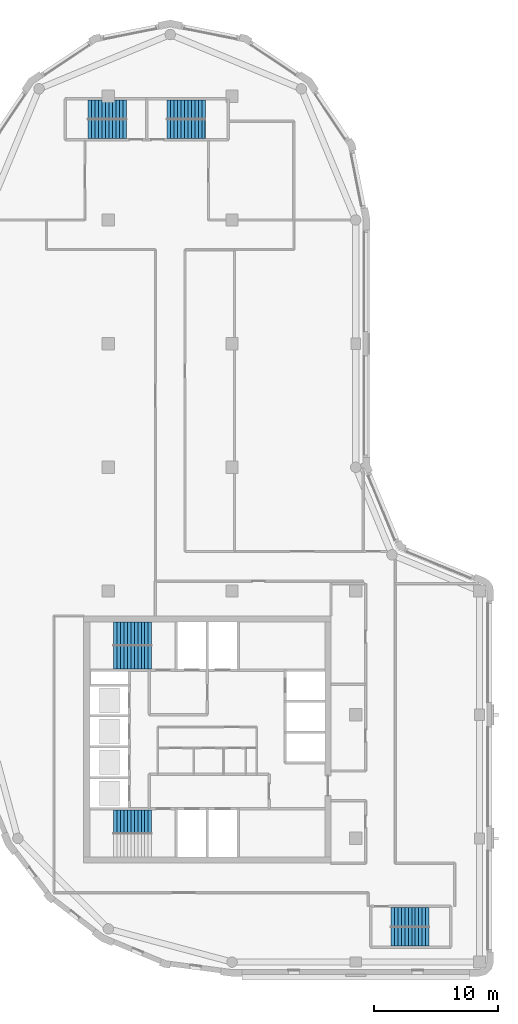
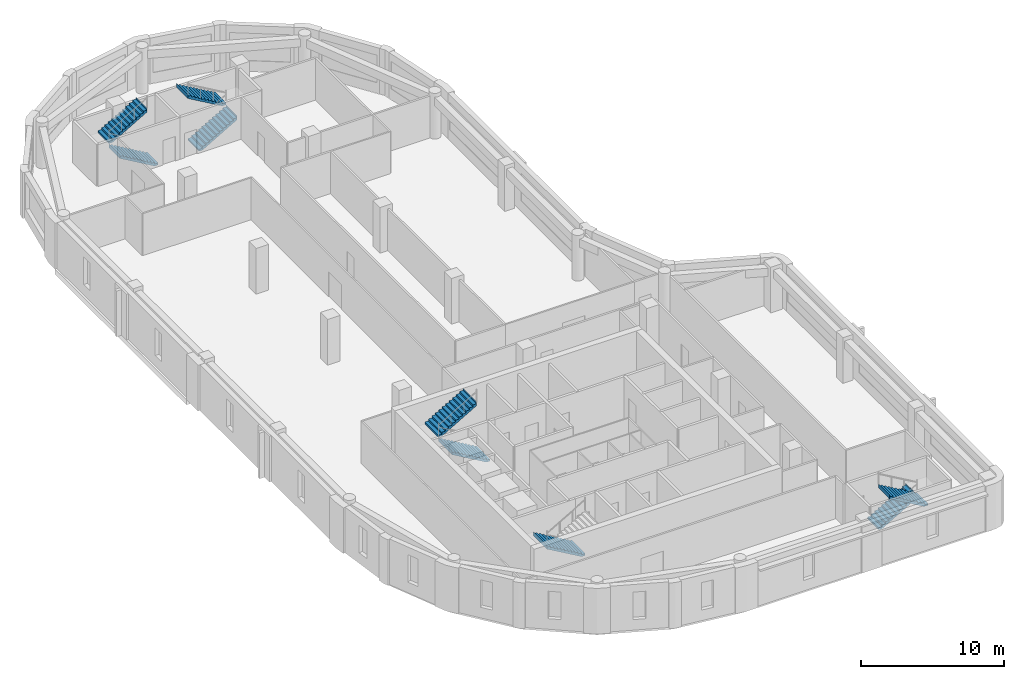
# One storey, part 6 of 8: 9 stair flights, 5 elements without a shape of their own.
"""IFC4 building model written with IfcOpenShell, lengths in metres."""

from ifc_helpers import new_model, si_unit, direction, frame, origin, place, context, subcontext, project, spatial, polyline, outline, extrude, material, type_object, element, aggregate, save


model = new_model("IFC4")

# Units and contexts
model_context = context("Model", 3, precision=1e-05, world=origin(), true_north=direction((0.0, 1.0)))
body_context = subcontext(model_context, "Body", "Model", "MODEL_VIEW")
ifc_project = project(units=[si_unit("LENGTHUNIT", "METRE"), si_unit("AREAUNIT", "SQUARE_METRE"), si_unit("VOLUMEUNIT", "CUBIC_METRE"), si_unit("PLANEANGLEUNIT", "RADIAN"), si_unit("MASSUNIT", "GRAM", prefix="KILO")], contexts=[model_context])

# Site, building, storey
site_placement = place(None, origin())
site = spatial("IfcSite", under=ifc_project, at=site_placement, CompositionType="ELEMENT")
building_placement = place(site_placement, origin())
building = spatial("IfcBuilding", under=site, at=building_placement, Name="Qaws Garden Tower", CompositionType="ELEMENT")
storey_placement = place(building_placement, frame((0.0, 0.0, 333.300048828125)))
storey = spatial("IfcBuildingStorey", under=building, at=storey_placement, Name="L81", CompositionType="ELEMENT", Elevation=333.300048828125)

# Stair, stair flights
ifc_material_1 = material(Name="Concrete C40", Category="concrete")
stair_type_1 = type_object("IfcStairType", Name="Exit stair 1350", PredefinedType="HALF_TURN_STAIR", material=ifc_material_1)
placement = place(storey_placement, origin())
stair_1 = element("IfcStair", 1, at=placement, inside=storey, type_object=stair_type_1, Name="Stair 5", PredefinedType="HALF_TURN_STAIR")
ifc_material_2 = material(Name="Concrete C40", Category="concrete")
stair_flight_type_1 = type_object("IfcStairFlightType", Name="Stair flight 1350", PredefinedType="STRAIGHT", material=ifc_material_2)
stair_flight_1_placement = place(storey_placement, frame((32.85009765625, 3.625, 0.0), z_axis=(0.0, 0.0, 1.0), x_axis=(1.0, 0.0, 0.0)))
stair_flight_1 = element("IfcStairFlight", 2, at=stair_flight_1_placement, type_object=stair_flight_type_1, Name="ST5 flight 1", NumberOfRisers=12, NumberOfTreads=11, PredefinedType="STRAIGHT", RiserHeight=0.1625, TreadLength=0.28, context=body_context, shape_type="SweptSolid", body=[
    extrude(outline(polyline([(-0.0029296875, 0.0), (-0.0029296875, 0.16259765625), (0.0, 0.16259765625), (0.280029296875, 0.16259765625), (0.280029296875, 0.324951171875), (0.56005859375, 0.324951171875), (0.56005859375, 0.487548828125), (0.840087890625, 0.487548828125), (0.840087890625, 0.64990234375), (1.1201171875, 0.64990234375), (1.1201171875, 0.8125), (1.39990234375, 0.8125), (1.39990234375, 0.97509765625), (1.679931640625, 0.97509765625), (1.679931640625, 1.137451171875), (1.9599609375, 1.137451171875), (1.9599609375, 1.300048828125), (2.239990234375, 1.300048828125), (2.239990234375, 1.46240234375), (2.52001953125, 1.46240234375), (2.52001953125, 1.625), (2.800048828125, 1.625), (2.800048828125, 1.78759765625), (3.080078125, 1.78759765625), (3.080078125, 1.949951171875), (3.0830078125, 1.949951171875), (3.0830078125, 1.6142578125), (3.080078125, 1.6142578125), (0.298583984375, 0.0), (-0.0029296875, 0.0)])), frame((0.0, 0.77490234375, 0.0), z_axis=(0.0, -1.0, 0.0), x_axis=(1.0, 0.0, 0.0)), (0.0, 0.0, 1.0), 1.550048828125),
])
stair_flight_2_placement = place(storey_placement, frame((35.929931640625, 2.074951171875, 1.949951171875), z_axis=(0.0, 0.0, 1.0), x_axis=(-1.0, 0.0, 0.0)))
stair_flight_2 = element("IfcStairFlight", 3, at=stair_flight_2_placement, type_object=stair_flight_type_1, Name="ST5 flight 2", NumberOfRisers=12, NumberOfTreads=11, PredefinedType="STRAIGHT", RiserHeight=0.1625, TreadLength=0.28, context=body_context, shape_type="SweptSolid", body=[
    extrude(outline(polyline([(-0.0029296875, 0.0), (-0.0029296875, 0.16259765625), (0.0, 0.16259765625), (0.280029296875, 0.16259765625), (0.280029296875, 0.324951171875), (0.56005859375, 0.324951171875), (0.56005859375, 0.487548828125), (0.840087890625, 0.487548828125), (0.840087890625, 0.64990234375), (1.1201171875, 0.64990234375), (1.1201171875, 0.8125), (1.39990234375, 0.8125), (1.39990234375, 0.97509765625), (1.679931640625, 0.97509765625), (1.679931640625, 1.137451171875), (1.9599609375, 1.137451171875), (1.9599609375, 1.300048828125), (2.239990234375, 1.300048828125), (2.239990234375, 1.46240234375), (2.52001953125, 1.46240234375), (2.52001953125, 1.625), (2.800048828125, 1.625), (2.800048828125, 1.78759765625), (3.080078125, 1.78759765625), (3.080078125, 1.949951171875), (3.0830078125, 1.949951171875), (3.0830078125, 1.6142578125), (3.080078125, 1.6142578125), (0.298583984375, 0.0), (-0.0029296875, 0.0)])), frame((0.0, 0.77490234375, 0.0), z_axis=(0.0, -1.0, 0.0), x_axis=(1.0, 0.0, 0.0)), (0.0, 0.0, 1.0), 1.550048828125),
])
aggregate(stair_1, [stair_flight_1, stair_flight_2])

stair_2 = element("IfcStair", 4, at=placement, inside=storey, type_object=stair_type_1, Name="Stair 6", PredefinedType="HALF_TURN_STAIR")
stair_flight_3_placement = place(storey_placement, frame((11.449951171875, 67.375, 0.0), z_axis=(0.0, 0.0, 1.0), x_axis=(-1.0, 0.0, 0.0)))
stair_flight_3 = element("IfcStairFlight", 5, at=stair_flight_3_placement, type_object=stair_flight_type_1, Name="ST6 flight 1", NumberOfRisers=12, NumberOfTreads=11, PredefinedType="STRAIGHT", RiserHeight=0.1625, TreadLength=0.28, context=body_context, shape_type="SweptSolid", body=[
    extrude(outline(polyline([(-0.0029296875, 0.0), (-0.0029296875, 0.16259765625), (0.0, 0.16259765625), (0.280029296875, 0.16259765625), (0.280029296875, 0.324951171875), (0.56005859375, 0.324951171875), (0.56005859375, 0.487548828125), (0.840087890625, 0.487548828125), (0.840087890625, 0.64990234375), (1.1201171875, 0.64990234375), (1.1201171875, 0.8125), (1.39990234375, 0.8125), (1.39990234375, 0.97509765625), (1.679931640625, 0.97509765625), (1.679931640625, 1.137451171875), (1.9599609375, 1.137451171875), (1.9599609375, 1.300048828125), (2.239990234375, 1.300048828125), (2.239990234375, 1.46240234375), (2.52001953125, 1.46240234375), (2.52001953125, 1.625), (2.800048828125, 1.625), (2.800048828125, 1.78759765625), (3.080078125, 1.78759765625), (3.080078125, 1.949951171875), (3.0830078125, 1.949951171875), (3.0830078125, 1.6142578125), (3.080078125, 1.6142578125), (0.298583984375, 0.0), (-0.0029296875, 0.0)])), frame((0.0, 0.77490234375, 0.0), z_axis=(0.0, -1.0, 0.0), x_axis=(1.0, 0.0, 0.0)), (0.0, 0.0, 1.0), 1.550048828125),
])
stair_flight_4_placement = place(storey_placement, frame((8.3701171875, 68.925048828125, 1.949951171875), z_axis=(0.0, 0.0, 1.0), x_axis=(1.0, 0.0, 0.0)))
stair_flight_4 = element("IfcStairFlight", 6, at=stair_flight_4_placement, type_object=stair_flight_type_1, Name="ST6 flight 2", NumberOfRisers=12, NumberOfTreads=11, PredefinedType="STRAIGHT", RiserHeight=0.1625, TreadLength=0.28, context=body_context, shape_type="SweptSolid", body=[
    extrude(outline(polyline([(-0.0029296875, 0.0), (-0.0029296875, 0.16259765625), (0.0, 0.16259765625), (0.280029296875, 0.16259765625), (0.280029296875, 0.324951171875), (0.56005859375, 0.324951171875), (0.56005859375, 0.487548828125), (0.840087890625, 0.487548828125), (0.840087890625, 0.64990234375), (1.1201171875, 0.64990234375), (1.1201171875, 0.8125), (1.39990234375, 0.8125), (1.39990234375, 0.97509765625), (1.679931640625, 0.97509765625), (1.679931640625, 1.137451171875), (1.9599609375, 1.137451171875), (1.9599609375, 1.300048828125), (2.239990234375, 1.300048828125), (2.239990234375, 1.46240234375), (2.52001953125, 1.46240234375), (2.52001953125, 1.625), (2.800048828125, 1.625), (2.800048828125, 1.78759765625), (3.080078125, 1.78759765625), (3.080078125, 1.949951171875), (3.0830078125, 1.949951171875), (3.0830078125, 1.6142578125), (3.080078125, 1.6142578125), (0.298583984375, 0.0), (-0.0029296875, 0.0)])), frame((0.0, 0.77490234375, 0.0), z_axis=(0.0, -1.0, 0.0), x_axis=(1.0, 0.0, 0.0)), (0.0, 0.0, 1.0), 1.550048828125),
])
aggregate(stair_2, [stair_flight_3, stair_flight_4])

stair_3 = element("IfcStair", 7, at=placement, inside=storey, type_object=stair_type_1, Name="Stair 7", PredefinedType="HALF_TURN_STAIR")
stair_flight_5_placement = place(storey_placement, frame((14.75, 67.375, 0.0), z_axis=(0.0, 0.0, 1.0), x_axis=(1.0, 0.0, 0.0)))
stair_flight_5 = element("IfcStairFlight", 8, at=stair_flight_5_placement, type_object=stair_flight_type_1, Name="ST7 flight 1", NumberOfRisers=12, NumberOfTreads=11, PredefinedType="STRAIGHT", RiserHeight=0.1625, TreadLength=0.28, context=body_context, shape_type="SweptSolid", body=[
    extrude(outline(polyline([(-0.0029296875, 0.0), (-0.0029296875, 0.16259765625), (0.0, 0.16259765625), (0.280029296875, 0.16259765625), (0.280029296875, 0.324951171875), (0.56005859375, 0.324951171875), (0.56005859375, 0.487548828125), (0.840087890625, 0.487548828125), (0.840087890625, 0.64990234375), (1.1201171875, 0.64990234375), (1.1201171875, 0.8125), (1.39990234375, 0.8125), (1.39990234375, 0.97509765625), (1.679931640625, 0.97509765625), (1.679931640625, 1.137451171875), (1.9599609375, 1.137451171875), (1.9599609375, 1.300048828125), (2.239990234375, 1.300048828125), (2.239990234375, 1.46240234375), (2.52001953125, 1.46240234375), (2.52001953125, 1.625), (2.800048828125, 1.625), (2.800048828125, 1.78759765625), (3.080078125, 1.78759765625), (3.080078125, 1.949951171875), (3.0830078125, 1.949951171875), (3.0830078125, 1.6142578125), (3.080078125, 1.6142578125), (0.298583984375, 0.0), (-0.0029296875, 0.0)])), frame((0.0, 0.77490234375, 0.0), z_axis=(0.0, -1.0, 0.0), x_axis=(1.0, 0.0, 0.0)), (0.0, 0.0, 1.0), 1.550048828125),
])
stair_flight_6_placement = place(storey_placement, frame((17.830078125, 68.925048828125, 1.949951171875), z_axis=(0.0, 0.0, 1.0), x_axis=(-1.0, 0.0, 0.0)))
stair_flight_6 = element("IfcStairFlight", 9, at=stair_flight_6_placement, type_object=stair_flight_type_1, Name="ST7 flight 2", NumberOfRisers=12, NumberOfTreads=11, PredefinedType="STRAIGHT", RiserHeight=0.1625, TreadLength=0.28, context=body_context, shape_type="SweptSolid", body=[
    extrude(outline(polyline([(-0.0029296875, 0.0), (-0.0029296875, 0.16259765625), (0.0, 0.16259765625), (0.280029296875, 0.16259765625), (0.280029296875, 0.324951171875), (0.56005859375, 0.324951171875), (0.56005859375, 0.487548828125), (0.840087890625, 0.487548828125), (0.840087890625, 0.64990234375), (1.1201171875, 0.64990234375), (1.1201171875, 0.8125), (1.39990234375, 0.8125), (1.39990234375, 0.97509765625), (1.679931640625, 0.97509765625), (1.679931640625, 1.137451171875), (1.9599609375, 1.137451171875), (1.9599609375, 1.300048828125), (2.239990234375, 1.300048828125), (2.239990234375, 1.46240234375), (2.52001953125, 1.46240234375), (2.52001953125, 1.625), (2.800048828125, 1.625), (2.800048828125, 1.78759765625), (3.080078125, 1.78759765625), (3.080078125, 1.949951171875), (3.0830078125, 1.949951171875), (3.0830078125, 1.6142578125), (3.080078125, 1.6142578125), (0.298583984375, 0.0), (-0.0029296875, 0.0)])), frame((0.0, 0.77490234375, 0.0), z_axis=(0.0, -1.0, 0.0), x_axis=(1.0, 0.0, 0.0)), (0.0, 0.0, 1.0), 1.550048828125),
])
aggregate(stair_3, [stair_flight_5, stair_flight_6])

# Stair, stair flight
ifc_material_3 = material(Name="Concrete C40", Category="concrete")
stair_type_2 = type_object("IfcStairType", Name="Exit stair 1500", PredefinedType="HALF_TURN_STAIR", material=ifc_material_3)
stair_4 = element("IfcStair", 10, at=placement, inside=storey, type_object=stair_type_2, Name="Stair 1", PredefinedType="HALF_TURN_STAIR")
ifc_material_4 = material(Name="Concrete C40", Category="concrete")
stair_flight_type_2 = type_object("IfcStairFlightType", Name="Stair flight 1500", PredefinedType="STRAIGHT", material=ifc_material_4)
stair_flight_7_placement = place(storey_placement, frame((13.5, 11.35009765625, 0.0), z_axis=(0.0, 0.0, 1.0), x_axis=(-1.0, 0.0, 0.0)))
stair_flight_7 = element("IfcStairFlight", 11, at=stair_flight_7_placement, type_object=stair_flight_type_2, Name="ST1 flight 1", NumberOfRisers=12, NumberOfTreads=11, PredefinedType="STRAIGHT", RiserHeight=0.1625, TreadLength=0.28, context=body_context, shape_type="SweptSolid", body=[
    extrude(outline(polyline([(-0.0029296875, 0.0), (-0.0029296875, 0.16259765625), (0.0, 0.16259765625), (0.280029296875, 0.16259765625), (0.280029296875, 0.324951171875), (0.56005859375, 0.324951171875), (0.56005859375, 0.487548828125), (0.840087890625, 0.487548828125), (0.840087890625, 0.64990234375), (1.1201171875, 0.64990234375), (1.1201171875, 0.8125), (1.39990234375, 0.8125), (1.39990234375, 0.97509765625), (1.679931640625, 0.97509765625), (1.679931640625, 1.137451171875), (1.9599609375, 1.137451171875), (1.9599609375, 1.300048828125), (2.239990234375, 1.300048828125), (2.239990234375, 1.46240234375), (2.52001953125, 1.46240234375), (2.52001953125, 1.625), (2.800048828125, 1.625), (2.800048828125, 1.78759765625), (3.080078125, 1.78759765625), (3.080078125, 1.949951171875), (3.0830078125, 1.949951171875), (3.0830078125, 1.6142578125), (3.080078125, 1.6142578125), (0.298583984375, 0.0), (-0.0029296875, 0.0)])), frame((0.0, 0.949951171875, 0.0), z_axis=(0.0, -1.0, 0.0), x_axis=(1.0, 0.0, 0.0)), (0.0, 0.0, 1.0), 1.89990234375),
])
aggregate(stair_4, [stair_flight_7])

# Stair, stair flights
stair_5 = element("IfcStair", 12, at=placement, inside=storey, type_object=stair_type_2, Name="Stair 4", PredefinedType="HALF_TURN_STAIR")
stair_flight_8_placement = place(storey_placement, frame((13.5, 24.64990234375, 0.0), z_axis=(0.0, 0.0, 1.0), x_axis=(-1.0, 0.0, 0.0)))
stair_flight_8 = element("IfcStairFlight", 13, at=stair_flight_8_placement, type_object=stair_flight_type_2, Name="ST4 flight 1", NumberOfRisers=12, NumberOfTreads=11, PredefinedType="STRAIGHT", RiserHeight=0.1625, TreadLength=0.28, context=body_context, shape_type="SweptSolid", body=[
    extrude(outline(polyline([(-0.0029296875, 0.0), (-0.0029296875, 0.16259765625), (0.0, 0.16259765625), (0.280029296875, 0.16259765625), (0.280029296875, 0.324951171875), (0.56005859375, 0.324951171875), (0.56005859375, 0.487548828125), (0.840087890625, 0.487548828125), (0.840087890625, 0.64990234375), (1.1201171875, 0.64990234375), (1.1201171875, 0.8125), (1.39990234375, 0.8125), (1.39990234375, 0.97509765625), (1.679931640625, 0.97509765625), (1.679931640625, 1.137451171875), (1.9599609375, 1.137451171875), (1.9599609375, 1.300048828125), (2.239990234375, 1.300048828125), (2.239990234375, 1.46240234375), (2.52001953125, 1.46240234375), (2.52001953125, 1.625), (2.800048828125, 1.625), (2.800048828125, 1.78759765625), (3.080078125, 1.78759765625), (3.080078125, 1.949951171875), (3.0830078125, 1.949951171875), (3.0830078125, 1.6142578125), (3.080078125, 1.6142578125), (0.298583984375, 0.0), (-0.0029296875, 0.0)])), frame((0.0, 0.94482421875, 0.0), z_axis=(0.0, -1.0, 0.0), x_axis=(1.0, 0.0, 0.0)), (0.0, 0.0, 1.0), 1.889892578125),
])
stair_flight_9_placement = place(storey_placement, frame((10.419921875, 26.550048828125, 1.949951171875), z_axis=(0.0, 0.0, 1.0), x_axis=(1.0, 0.0, 0.0)))
stair_flight_9 = element("IfcStairFlight", 14, at=stair_flight_9_placement, type_object=stair_flight_type_2, Name="ST4 flight 2", NumberOfRisers=12, NumberOfTreads=11, PredefinedType="STRAIGHT", RiserHeight=0.1625, TreadLength=0.28, context=body_context, shape_type="SweptSolid", body=[
    extrude(outline(polyline([(-0.0029296875, 0.0), (-0.0029296875, 0.16259765625), (0.0, 0.16259765625), (0.280029296875, 0.16259765625), (0.280029296875, 0.324951171875), (0.56005859375, 0.324951171875), (0.56005859375, 0.487548828125), (0.840087890625, 0.487548828125), (0.840087890625, 0.64990234375), (1.1201171875, 0.64990234375), (1.1201171875, 0.8125), (1.39990234375, 0.8125), (1.39990234375, 0.97509765625), (1.679931640625, 0.97509765625), (1.679931640625, 1.137451171875), (1.9599609375, 1.137451171875), (1.9599609375, 1.300048828125), (2.239990234375, 1.300048828125), (2.239990234375, 1.46240234375), (2.52001953125, 1.46240234375), (2.52001953125, 1.625), (2.800048828125, 1.625), (2.800048828125, 1.78759765625), (3.080078125, 1.78759765625), (3.080078125, 1.949951171875), (3.0830078125, 1.949951171875), (3.0830078125, 1.6142578125), (3.080078125, 1.6142578125), (0.298583984375, 0.0), (-0.0029296875, 0.0)])), frame((0.0, 0.94482421875, 0.0), z_axis=(0.0, -1.0, 0.0), x_axis=(1.0, 0.0, 0.0)), (0.0, 0.0, 1.0), 1.889892578125),
])
aggregate(stair_5, [stair_flight_8, stair_flight_9])

save(model, "model.ifc")
